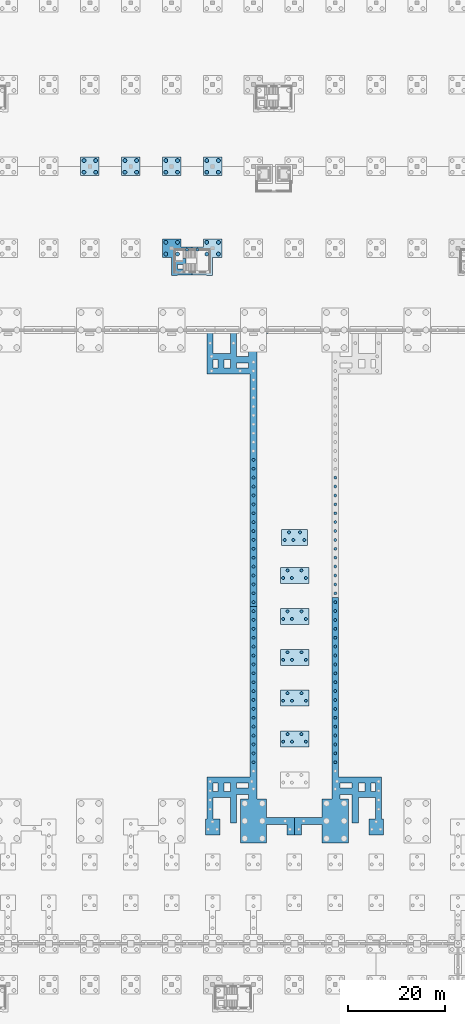
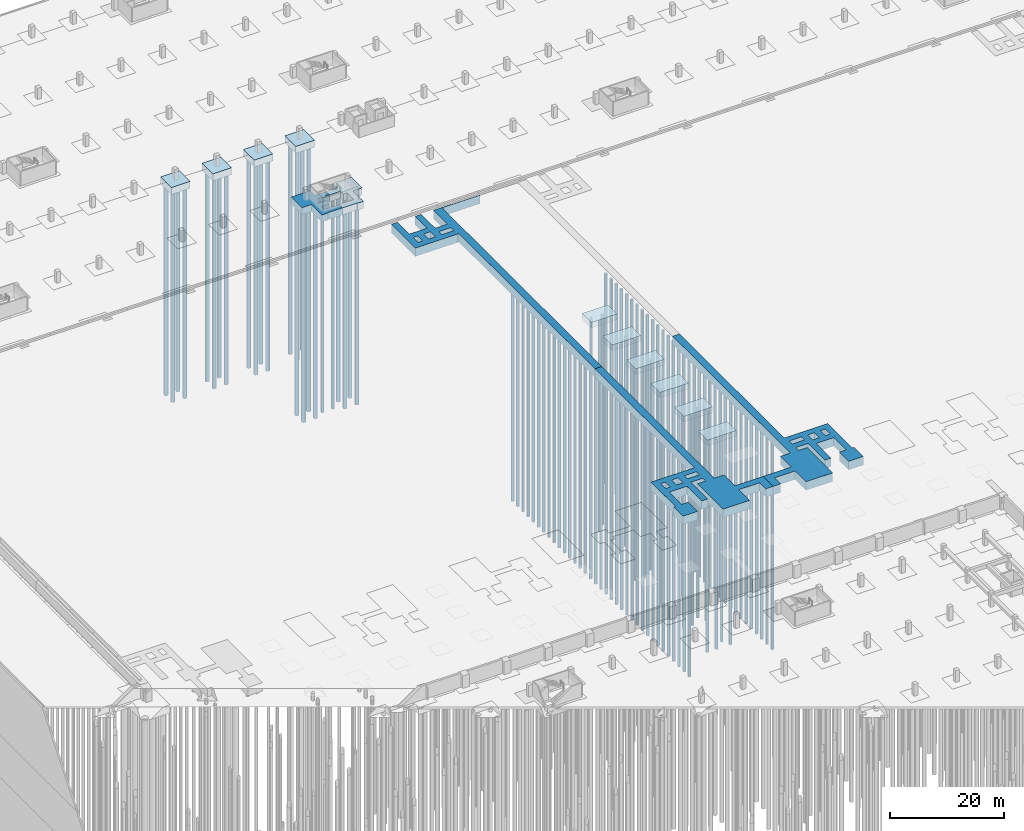
# One storey, part 15 of 67: 124 piles, 15 footings.
"""IFC4 building model written with IfcOpenShell, lengths in metres."""

from ifc_helpers import new_model, si_unit, direction, frame, origin, origin_2d, place, context, subcontext, project, spatial, polyline, circle, outline, extrude, material, material_profile, profile_set, type_object, element, save


model = new_model("IFC4")

# Units and contexts
model_context = context("Model", 3, precision=1e-05, world=origin(), true_north=direction((0.0, 1.0)))
body_context = subcontext(model_context, "Body", "Model", "MODEL_VIEW")
ifc_project = project(units=[si_unit("LENGTHUNIT", "METRE"), si_unit("AREAUNIT", "SQUARE_METRE"), si_unit("VOLUMEUNIT", "CUBIC_METRE"), si_unit("PLANEANGLEUNIT", "RADIAN"), si_unit("MASSUNIT", "GRAM", prefix="KILO")], contexts=[model_context])

# Site, building, storey
site_placement = place(None, origin())
site = spatial("IfcSite", under=ifc_project, at=site_placement, CompositionType="ELEMENT")
building_placement = place(site_placement, origin())
building = spatial("IfcBuilding", under=site, at=building_placement, Name="Rain Tree Exposition and Congress Centre", CompositionType="ELEMENT")
storey_placement = place(building_placement, frame((0.0, 0.0, -3.0)))
storey = spatial("IfcBuildingStorey", under=building, at=storey_placement, Name="B1", CompositionType="ELEMENT", Elevation=-3.0)

# Piles
ifc_material_1 = material(Name="Concrete C35/45", Category="concrete")
ifc_material_profile_1 = material_profile(ifc_material_1, circle(Radius=0.300048828125, at=origin_2d()), Name="D600")
ifc_profile_set_1 = profile_set([ifc_material_profile_1], Name="Concrete C35/45")
pile_type_1 = type_object("IfcPileType", Name="Bored pile D600", PredefinedType="BORED", material=ifc_profile_set_1)
for number, where, z_axis, x_axis, name in (
    (1, (112.333251953125, 218.10009765625, -1.425048828125), (0.0, 0.0, -1.0), (1.0, 0.0, 0.0), "Bored pile 0819"),
    (2, (114.466796875, 218.10009765625, -1.425048828125), (0.0, 0.0, -1.0), (1.0, 0.0, 0.0), "Bored pile 0821"),
    (3, (132.10009765625, 117.080322265625, 1.52490234375), (0.0, 0.0, -1.0), (1.0, 0.0, 0.0), "Bored pile 1539"),
    (4, (133.89990234375, 117.080322265625, 1.52490234375), (0.0, 0.0, -1.0), (1.0, 0.0, 0.0), "Bored pile 1540"),
    (5, (133.0, 118.639404296875, 1.52490234375), (0.0, 0.0, -1.0), (1.0, 0.0, 0.0), "Bored pile 1541"),
    (6, (136.75, 117.080322265625, 1.52490234375), (0.0, 0.0, -1.0), (1.0, 0.0, 0.0), "Bored pile 1542"),
    (7, (135.85009765625, 118.639404296875, 1.52490234375), (0.0, 0.0, -1.0), (1.0, 0.0, 0.0), "Bored pile 1543"),
    (8, (132.10009765625, 125.480224609375, 1.52490234375), (0.0, 0.0, -1.0), (1.0, 0.0, 0.0), "Bored pile 1544"),
    (9, (133.89990234375, 125.480224609375, 1.52490234375), (0.0, 0.0, -1.0), (1.0, 0.0, 0.0), "Bored pile 1545"),
    (10, (133.0, 127.039306640625, 1.52490234375), (0.0, 0.0, -1.0), (1.0, 0.0, 0.0), "Bored pile 1546"),
    (11, (136.75, 125.480224609375, 1.52490234375), (0.0, 0.0, -1.0), (1.0, 0.0, 0.0), "Bored pile 1547"),
    (12, (135.85009765625, 127.039306640625, 1.52490234375), (0.0, 0.0, -1.0), (1.0, 0.0, 0.0), "Bored pile 1548"),
    (13, (132.10009765625, 133.88037109375, 1.52490234375), (0.0, 0.0, -1.0), (1.0, 0.0, 0.0), "Bored pile 1549"),
    (14, (133.89990234375, 133.88037109375, 1.52490234375), (0.0, 0.0, -1.0), (1.0, 0.0, 0.0), "Bored pile 1550"),
    (15, (133.0, 135.439208984375, 1.52490234375), (0.0, 0.0, -1.0), (1.0, 0.0, 0.0), "Bored pile 1551"),
    (16, (136.75, 133.88037109375, 1.52490234375), (0.0, 0.0, -1.0), (1.0, 0.0, 0.0), "Bored pile 1552"),
    (17, (135.85009765625, 135.439208984375, 1.52490234375), (0.0, 0.0, -1.0), (1.0, 0.0, 0.0), "Bored pile 1553"),
    (18, (132.10009765625, 142.2802734375, 1.52490234375), (0.0, 0.0, -1.0), (1.0, 0.0, 0.0), "Bored pile 1554"),
    (19, (133.89990234375, 142.2802734375, 1.52490234375), (0.0, 0.0, -1.0), (1.0, 0.0, 0.0), "Bored pile 1555"),
    (20, (133.0, 143.83935546875, 1.52490234375), (0.0, 0.0, -1.0), (1.0, 0.0, 0.0), "Bored pile 1556"),
    (21, (136.75, 142.2802734375, 1.52490234375), (0.0, 0.0, -1.0), (1.0, 0.0, 0.0), "Bored pile 1557"),
    (22, (135.85009765625, 143.83935546875, 1.52490234375), (0.0, 0.0, -1.0), (1.0, 0.0, 0.0), "Bored pile 1558"),
    (23, (132.10009765625, 150.680419921875, 1.52490234375), (0.0, 0.0, -1.0), (1.0, 0.0, 0.0), "Bored pile 1559"),
    (24, (133.89990234375, 150.680419921875, 1.52490234375), (0.0, 0.0, -1.0), (1.0, 0.0, 0.0), "Bored pile 1560"),
    (25, (133.0, 152.2392578125, 1.52490234375), (0.0, 0.0, -1.0), (1.0, 0.0, 0.0), "Bored pile 1561"),
    (26, (136.75, 150.680419921875, 1.52490234375), (0.0, 0.0, -1.0), (1.0, 0.0, 0.0), "Bored pile 1562"),
    (27, (135.85009765625, 152.2392578125, 1.52490234375), (0.0, 0.0, -1.0), (1.0, 0.0, 0.0), "Bored pile 1563"),
    (28, (132.39990234375, 158.480224609375, 1.52490234375), (0.0, 0.0, -1.0), (1.0, 0.0, 0.0), "Bored pile 1564"),
    (29, (134.199951171875, 158.480224609375, 1.52490234375), (0.0, 0.0, -1.0), (1.0, 0.0, 0.0), "Bored pile 1565"),
    (30, (133.300048828125, 160.039306640625, 1.52490234375), (0.0, 0.0, -1.0), (1.0, 0.0, 0.0), "Bored pile 1566"),
    (31, (136.449951171875, 158.480224609375, 1.52490234375), (0.0, 0.0, -1.0), (1.0, 0.0, 0.0), "Bored pile 1567"),
    (32, (135.550048828125, 160.039306640625, 1.52490234375), (0.0, 0.0, -1.0), (1.0, 0.0, 0.0), "Bored pile 1568"),
    (33, (126.0, 112.855712890625, 0.92578125), (0.0, 0.0, -1.0), (1.0, 0.0, 0.0), "Bored pile 1767"),
    (34, (126.0, 114.681396484375, 0.92578125), (0.0, 0.0, -1.0), (1.0, 0.0, 0.0), "Bored pile 1768"),
    (35, (126.0, 116.50732421875, 0.92578125), (0.0, 0.0, -1.0), (1.0, 0.0, 0.0), "Bored pile 1769"),
    (36, (126.0, 118.333251953125, 0.92578125), (0.0, 0.0, -1.0), (1.0, 0.0, 0.0), "Bored pile 1770"),
    (37, (126.0, 120.1591796875, 0.92578125), (0.0, 0.0, -1.0), (1.0, 0.0, 0.0), "Bored pile 1771"),
    (38, (126.0, 121.985107421875, 0.92578125), (0.0, 0.0, -1.0), (1.0, 0.0, 0.0), "Bored pile 1772"),
    (39, (126.0, 123.81103515625, 0.92578125), (0.0, 0.0, -1.0), (1.0, 0.0, 0.0), "Bored pile 1773"),
    (40, (126.0, 125.636962890625, 0.92578125), (0.0, 0.0, -1.0), (1.0, 0.0, 0.0), "Bored pile 1774"),
    (41, (126.0, 127.462890625, 0.92578125), (0.0, 0.0, -1.0), (1.0, 0.0, 0.0), "Bored pile 1775"),
    (42, (126.0, 129.288818359375, 0.92578125), (0.0, 0.0, -1.0), (1.0, 0.0, 0.0), "Bored pile 1776"),
    (43, (126.0, 131.11474609375, 0.92578125), (0.0, 0.0, -1.0), (1.0, 0.0, 0.0), "Bored pile 1777"),
    (44, (126.0, 132.940673828125, 0.92578125), (0.0, 0.0, -1.0), (1.0, 0.0, 0.0), "Bored pile 1778"),
    (45, (126.0, 134.7666015625, 0.92578125), (0.0, 0.0, -1.0), (1.0, 0.0, 0.0), "Bored pile 1779"),
    (46, (126.0, 136.592529296875, 0.92578125), (0.0, 0.0, -1.0), (1.0, 0.0, 0.0), "Bored pile 1780"),
    (47, (126.0, 138.41845703125, 0.92578125), (0.0, 0.0, -1.0), (1.0, 0.0, 0.0), "Bored pile 1781"),
    (48, (126.0, 140.244384765625, 0.92578125), (0.0, 0.0, -1.0), (1.0, 0.0, 0.0), "Bored pile 1782"),
    (49, (126.0, 142.0703125, 0.92578125), (0.0, 0.0, -1.0), (1.0, 0.0, 0.0), "Bored pile 1783"),
    (50, (126.0, 143.896240234375, 0.92578125), (0.0, 0.0, -1.0), (1.0, 0.0, 0.0), "Bored pile 1784"),
    (51, (126.0, 145.72216796875, 0.92578125), (0.0, 0.0, -1.0), (1.0, 0.0, 0.0), "Bored pile 1785"),
    (52, (126.0, 147.548095703125, 0.92578125), (0.0, 0.0, -1.0), (1.0, 0.0, 0.0), "Bored pile 1786"),
    (53, (126.0, 149.3740234375, 0.92578125), (0.0, 0.0, -1.0), (1.0, 0.0, 0.0), "Bored pile 1787"),
    (54, (126.0, 151.199951171875, 0.92578125), (0.0, 0.0, -1.0), (1.0, 0.0, 0.0), "Bored pile 1788"),
    (55, (126.0, 153.02587890625, 0.92578125), (0.0, 0.0, -1.0), (1.0, 0.0, 0.0), "Bored pile 1789"),
    (56, (126.0, 154.851806640625, 0.92578125), (0.0, 0.0, -1.0), (1.0, 0.0, 0.0), "Bored pile 1790"),
    (57, (126.0, 156.677734375, 0.92578125), (0.0, 0.0, -1.0), (1.0, 0.0, 0.0), "Bored pile 1791"),
    (58, (126.0, 158.503662109375, 0.92578125), (0.0, 0.0, -1.0), (1.0, 0.0, 0.0), "Bored pile 1792"),
    (59, (126.0, 160.32958984375, 0.92578125), (0.0, 0.0, -1.0), (1.0, 0.0, 0.0), "Bored pile 1793"),
    (60, (126.0, 162.155517578125, 0.92578125), (0.0, 0.0, -1.0), (1.0, 0.0, 0.0), "Bored pile 1794"),
    (61, (126.0, 163.9814453125, 0.92578125), (0.0, 0.0, -1.0), (1.0, 0.0, 0.0), "Bored pile 1795"),
    (62, (126.0, 165.807373046875, 0.92578125), (0.0, 0.0, -1.0), (1.0, 0.0, 0.0), "Bored pile 1796"),
    (63, (126.0, 167.63330078125, 0.92578125), (0.0, 0.0, -1.0), (1.0, 0.0, 0.0), "Bored pile 1797"),
    (64, (126.0, 169.459228515625, 0.92578125), (0.0, 0.0, -1.0), (1.0, 0.0, 0.0), "Bored pile 1798"),
    (65, (126.0, 171.28515625, 0.92578125), (0.0, 0.0, -1.0), (1.0, 0.0, 0.0), "Bored pile 1799"),
    (66, (126.0, 173.111083984375, 0.92578125), (0.0, 0.0, -1.0), (1.0, 0.0, 0.0), "Bored pile 1800"),
    (67, (126.0, 174.93701171875, 0.92578125), (0.0, 0.0, -1.0), (1.0, 0.0, 0.0), "Bored pile 1801"),
    (68, (142.800048828125, 171.28515625, 0.92578125), (0.0, 0.0, -1.0), (1.0, 0.0, 0.0), "Bored pile 1836"),
    (69, (142.800048828125, 169.459228515625, 0.92578125), (0.0, 0.0, -1.0), (1.0, 0.0, 0.0), "Bored pile 1837"),
    (70, (142.800048828125, 167.63330078125, 0.92578125), (0.0, 0.0, -1.0), (1.0, 0.0, 0.0), "Bored pile 1838"),
    (71, (142.800048828125, 165.807373046875, 0.92578125), (0.0, 0.0, -1.0), (1.0, 0.0, 0.0), "Bored pile 1839"),
    (72, (142.800048828125, 163.9814453125, 0.92578125), (0.0, 0.0, -1.0), (1.0, 0.0, 0.0), "Bored pile 1840"),
    (73, (142.800048828125, 162.155517578125, 0.92578125), (0.0, 0.0, -1.0), (1.0, 0.0, 0.0), "Bored pile 1841"),
    (74, (142.800048828125, 160.32958984375, 0.92578125), (0.0, 0.0, -1.0), (1.0, 0.0, 0.0), "Bored pile 1842"),
    (75, (142.800048828125, 158.503662109375, 0.92578125), (0.0, 0.0, -1.0), (1.0, 0.0, 0.0), "Bored pile 1843"),
    (76, (142.800048828125, 156.677734375, 0.92578125), (0.0, 0.0, -1.0), (1.0, 0.0, 0.0), "Bored pile 1844"),
    (77, (142.800048828125, 154.851806640625, 0.92578125), (0.0, 0.0, -1.0), (1.0, 0.0, 0.0), "Bored pile 1845"),
    (78, (142.800048828125, 153.02587890625, 0.92578125), (0.0, 0.0, -1.0), (1.0, 0.0, 0.0), "Bored pile 1846"),
    (79, (142.800048828125, 151.199951171875, 0.92578125), (0.0, 0.0, -1.0), (1.0, 0.0, 0.0), "Bored pile 1847"),
    (80, (142.800048828125, 149.3740234375, 0.92578125), (0.0, 0.0, -1.0), (1.0, 0.0, 0.0), "Bored pile 1848"),
    (81, (142.800048828125, 147.548095703125, 0.92578125), (0.0, 0.0, -1.0), (1.0, 0.0, 0.0), "Bored pile 1849"),
    (82, (142.800048828125, 145.72216796875, 0.92578125), (0.0, 0.0, -1.0), (1.0, 0.0, 0.0), "Bored pile 1850"),
    (83, (142.800048828125, 143.896240234375, 0.92578125), (0.0, 0.0, -1.0), (1.0, 0.0, 0.0), "Bored pile 1851"),
    (84, (142.800048828125, 142.0703125, 0.92578125), (0.0, 0.0, -1.0), (1.0, 0.0, 0.0), "Bored pile 1852"),
    (85, (142.800048828125, 140.244384765625, 0.92578125), (0.0, 0.0, -1.0), (1.0, 0.0, 0.0), "Bored pile 1853"),
    (86, (142.800048828125, 138.41845703125, 0.92578125), (0.0, 0.0, -1.0), (1.0, 0.0, 0.0), "Bored pile 1854"),
    (87, (142.800048828125, 136.592529296875, 0.92578125), (0.0, 0.0, -1.0), (1.0, 0.0, 0.0), "Bored pile 1855"),
    (88, (142.800048828125, 134.7666015625, 0.92578125), (0.0, 0.0, -1.0), (1.0, 0.0, 0.0), "Bored pile 1856"),
    (89, (142.800048828125, 132.940673828125, 0.92578125), (0.0, 0.0, -1.0), (1.0, 0.0, 0.0), "Bored pile 1857"),
    (90, (142.800048828125, 131.11474609375, 0.92578125), (0.0, 0.0, -1.0), (1.0, 0.0, 0.0), "Bored pile 1858"),
    (91, (142.800048828125, 129.288818359375, 0.92578125), (0.0, 0.0, -1.0), (1.0, 0.0, 0.0), "Bored pile 1859"),
    (92, (142.800048828125, 127.462890625, 0.92578125), (0.0, 0.0, -1.0), (1.0, 0.0, 0.0), "Bored pile 1860"),
    (93, (142.800048828125, 125.636962890625, 0.92578125), (0.0, 0.0, -1.0), (1.0, 0.0, 0.0), "Bored pile 1861"),
    (94, (142.800048828125, 123.81103515625, 0.92578125), (0.0, 0.0, -1.0), (1.0, 0.0, 0.0), "Bored pile 1862"),
    (95, (142.800048828125, 121.985107421875, 0.92578125), (0.0, 0.0, -1.0), (1.0, 0.0, 0.0), "Bored pile 1863"),
    (96, (142.800048828125, 120.1591796875, 0.92578125), (0.0, 0.0, -1.0), (1.0, 0.0, 0.0), "Bored pile 1864"),
    (97, (142.800048828125, 118.333251953125, 0.92578125), (0.0, 0.0, -1.0), (1.0, 0.0, 0.0), "Bored pile 1865"),
    (98, (142.800048828125, 116.50732421875, 0.92578125), (0.0, 0.0, -1.0), (1.0, 0.0, 0.0), "Bored pile 1866"),
    (99, (142.800048828125, 114.681396484375, 0.92578125), (0.0, 0.0, -1.0), (1.0, 0.0, 0.0), "Bored pile 1867"),
    (100, (142.800048828125, 112.855712890625, 0.92578125), (0.0, 0.0, -1.0), (1.0, 0.0, 0.0), "Bored pile 1868"),
):
    element("IfcPile", number, at=place(storey_placement, frame(where, z_axis=z_axis, x_axis=x_axis)), inside=storey, type_object=pile_type_1, Name=name, PredefinedType="BORED", context=body_context, shape_type="SweptSolid", body=[
        extrude(circle(Radius=0.300048828125, at=origin_2d()), origin(), (0.0, 0.0, 1.0), 45.074951171875),
    ])
ifc_material_2 = material(Name="Concrete C35/45", Category="concrete")
ifc_material_profile_2 = material_profile(ifc_material_2, circle(Radius=0.39990234375, at=origin_2d()), Name="D800")
ifc_profile_set_2 = profile_set([ifc_material_profile_2], Name="Concrete C35/45")
pile_type_2 = type_object("IfcPileType", Name="Bored pile D800", PredefinedType="BORED", material=ifc_profile_set_2)
for number, where, z_axis, x_axis, name in (
    (101, (91.199951171875, 234.0, -1.425048828125), (0.0, 0.0, -1.0), (1.0, 0.0, 0.0), "Bored pile 0650"),
    (102, (93.60009765625, 234.0, -1.425048828125), (0.0, 0.0, -1.0), (1.0, 0.0, 0.0), "Bored pile 0651"),
    (103, (91.199951171875, 236.39990234375, -1.425048828125), (0.0, 0.0, -1.0), (1.0, 0.0, 0.0), "Bored pile 0652"),
    (104, (93.60009765625, 236.39990234375, -1.425048828125), (0.0, 0.0, -1.0), (1.0, 0.0, 0.0), "Bored pile 0653"),
    (105, (99.60009765625, 234.0, -1.425048828125), (0.0, 0.0, -1.0), (1.0, 0.0, 0.0), "Bored pile 0662"),
    (106, (102.0, 234.0, -1.425048828125), (0.0, 0.0, -1.0), (1.0, 0.0, 0.0), "Bored pile 0663"),
    (107, (99.60009765625, 236.39990234375, -1.425048828125), (0.0, 0.0, -1.0), (1.0, 0.0, 0.0), "Bored pile 0664"),
    (108, (102.0, 236.39990234375, -1.425048828125), (0.0, 0.0, -1.0), (1.0, 0.0, 0.0), "Bored pile 0665"),
    (109, (108.0, 217.199951171875, -1.425048828125), (0.0, 0.0, -1.0), (1.0, 0.0, 0.0), "Bored pile 0813"),
    (110, (108.0, 219.60009765625, -1.425048828125), (0.0, 0.0, -1.0), (1.0, 0.0, 0.0), "Bored pile 0814"),
    (111, (110.39990234375, 217.199951171875, -1.425048828125), (0.0, 0.0, -1.0), (1.0, 0.0, 0.0), "Bored pile 0816"),
    (112, (110.39990234375, 219.60009765625, -1.425048828125), (0.0, 0.0, -1.0), (1.0, 0.0, 0.0), "Bored pile 0817"),
    (113, (116.39990234375, 217.199951171875, -1.425048828125), (0.0, 0.0, -1.0), (1.0, 0.0, 0.0), "Bored pile 0822"),
    (114, (116.39990234375, 219.60009765625, -1.425048828125), (0.0, 0.0, -1.0), (1.0, 0.0, 0.0), "Bored pile 0823"),
    (115, (118.800048828125, 217.199951171875, -1.425048828125), (0.0, 0.0, -1.0), (1.0, 0.0, 0.0), "Bored pile 0825"),
    (116, (118.800048828125, 219.60009765625, -1.425048828125), (0.0, 0.0, -1.0), (1.0, 0.0, 0.0), "Bored pile 0826"),
    (117, (116.39990234375, 234.0, -1.425048828125), (0.0, 0.0, -1.0), (1.0, 0.0, 0.0), "Bored pile 0831"),
    (118, (118.800048828125, 234.0, -1.425048828125), (0.0, 0.0, -1.0), (1.0, 0.0, 0.0), "Bored pile 0832"),
    (119, (116.39990234375, 236.39990234375, -1.425048828125), (0.0, 0.0, -1.0), (1.0, 0.0, 0.0), "Bored pile 0833"),
    (120, (118.800048828125, 236.39990234375, -1.425048828125), (0.0, 0.0, -1.0), (1.0, 0.0, 0.0), "Bored pile 0834"),
    (121, (108.0, 234.0, -1.425048828125), (0.0, 0.0, -1.0), (1.0, 0.0, 0.0), "Bored pile 0835"),
    (122, (110.39990234375, 234.0, -1.425048828125), (0.0, 0.0, -1.0), (1.0, 0.0, 0.0), "Bored pile 0836"),
    (123, (108.0, 236.39990234375, -1.425048828125), (0.0, 0.0, -1.0), (1.0, 0.0, 0.0), "Bored pile 0837"),
    (124, (110.39990234375, 236.39990234375, -1.425048828125), (0.0, 0.0, -1.0), (1.0, 0.0, 0.0), "Bored pile 0838"),
):
    element("IfcPile", number, at=place(storey_placement, frame(where, z_axis=z_axis, x_axis=x_axis)), inside=storey, type_object=pile_type_2, Name=name, PredefinedType="BORED", context=body_context, shape_type="SweptSolid", body=[
        extrude(circle(Radius=0.39990234375, at=origin_2d()), origin(), (0.0, 0.0, 1.0), 45.074951171875),
    ])

# Footings
ifc_material_3 = material(Name="Concrete C35/45", Category="concrete")
footing_type_1 = type_object("IfcFootingType", Name="Pile cap 1200 thick", PredefinedType="PILE_CAP", material=ifc_material_3)
footing_1_placement = place(storey_placement, frame((0.0, 0.0, 1.449951171875)))
element("IfcFooting", 125, at=footing_1_placement, inside=storey, type_object=footing_type_1, Name="Pile cap 293", PredefinedType="PILE_CAP", context=body_context, shape_type="SweptSolid", body=[
    extrude(outline(polyline([(134.5, 119.2392578125), (134.35009765625, 119.2392578125), (131.5, 119.2392578125), (131.5, 115.960693359375), (134.35009765625, 115.960693359375), (134.5, 115.960693359375), (137.35009765625, 115.960693359375), (137.35009765625, 119.2392578125), (134.5, 119.2392578125)])), origin(), (0.0, 0.0, 1.0), 1.199951171875),
])
footing_2_placement = place(storey_placement, frame((0.0, 0.0, 1.449951171875)))
element("IfcFooting", 126, at=footing_2_placement, inside=storey, type_object=footing_type_1, Name="Pile cap 294", PredefinedType="PILE_CAP", context=body_context, shape_type="SweptSolid", body=[
    extrude(outline(polyline([(134.5, 127.639404296875), (134.35009765625, 127.639404296875), (131.5, 127.639404296875), (131.5, 124.360595703125), (134.35009765625, 124.360595703125), (134.5, 124.360595703125), (137.35009765625, 124.360595703125), (137.35009765625, 127.639404296875), (134.5, 127.639404296875)])), origin(), (0.0, 0.0, 1.0), 1.199951171875),
])
footing_3_placement = place(storey_placement, frame((0.0, 0.0, 1.449951171875)))
element("IfcFooting", 127, at=footing_3_placement, inside=storey, type_object=footing_type_1, Name="Pile cap 295", PredefinedType="PILE_CAP", context=body_context, shape_type="SweptSolid", body=[
    extrude(outline(polyline([(134.5, 136.039306640625), (134.35009765625, 136.039306640625), (131.5, 136.039306640625), (131.5, 132.7607421875), (134.35009765625, 132.7607421875), (134.5, 132.7607421875), (137.35009765625, 132.7607421875), (137.35009765625, 136.039306640625), (134.5, 136.039306640625)])), origin(), (0.0, 0.0, 1.0), 1.199951171875),
])
footing_4_placement = place(storey_placement, frame((0.0, 0.0, 1.449951171875)))
element("IfcFooting", 128, at=footing_4_placement, inside=storey, type_object=footing_type_1, Name="Pile cap 296", PredefinedType="PILE_CAP", context=body_context, shape_type="SweptSolid", body=[
    extrude(outline(polyline([(134.5, 144.439208984375), (134.35009765625, 144.439208984375), (131.5, 144.439208984375), (131.5, 141.16064453125), (134.35009765625, 141.16064453125), (134.5, 141.16064453125), (137.35009765625, 141.16064453125), (137.35009765625, 144.439208984375), (134.5, 144.439208984375)])), origin(), (0.0, 0.0, 1.0), 1.199951171875),
])
footing_5_placement = place(storey_placement, frame((0.0, 0.0, 1.449951171875)))
element("IfcFooting", 129, at=footing_5_placement, inside=storey, type_object=footing_type_1, Name="Pile cap 297", PredefinedType="PILE_CAP", context=body_context, shape_type="SweptSolid", body=[
    extrude(outline(polyline([(134.5, 152.83935546875), (134.35009765625, 152.83935546875), (131.5, 152.83935546875), (131.5, 149.560791015625), (134.35009765625, 149.560791015625), (134.5, 149.560791015625), (137.35009765625, 149.560791015625), (137.35009765625, 152.83935546875), (134.5, 152.83935546875)])), origin(), (0.0, 0.0, 1.0), 1.199951171875),
])
ifc_material_4 = material(Name="Concrete C35/45", Category="concrete")
footing_type_2 = type_object("IfcFootingType", Name="Pile cap 1500 thick", PredefinedType="PILE_CAP", material=ifc_material_4)
footing_6_placement = place(storey_placement, frame((0.0, 0.0, -1.5)))
element("IfcFooting", 130, at=footing_6_placement, inside=storey, type_object=footing_type_2, Name="Pile cap 129", PredefinedType="PILE_CAP", context=body_context, shape_type="SweptSolid", body=[
    extrude(outline(polyline([(94.300048828125, 233.300048828125), (94.300048828125, 237.10009765625), (90.5, 237.10009765625), (90.5, 233.300048828125), (94.300048828125, 233.300048828125)])), origin(), (0.0, 0.0, 1.0), 1.5),
])
footing_7_placement = place(storey_placement, frame((0.0, 0.0, -1.5)))
element("IfcFooting", 131, at=footing_7_placement, inside=storey, type_object=footing_type_2, Name="Pile cap 132", PredefinedType="PILE_CAP", context=body_context, shape_type="SweptSolid", body=[
    extrude(outline(polyline([(102.699951171875, 233.300048828125), (102.699951171875, 237.10009765625), (98.89990234375, 237.10009765625), (98.89990234375, 233.300048828125), (102.699951171875, 233.300048828125)])), origin(), (0.0, 0.0, 1.0), 1.5),
])
footing_8_placement = place(storey_placement, frame((0.0, 0.0, -1.5)))
element("IfcFooting", 132, at=footing_8_placement, inside=storey, type_object=footing_type_2, Name="Pile cap 159", PredefinedType="PILE_CAP", context=body_context, shape_type="SweptSolid", body=[
    extrude(outline(polyline([(119.5, 233.300048828125), (119.5, 237.10009765625), (115.699951171875, 237.10009765625), (115.699951171875, 233.300048828125), (119.5, 233.300048828125)])), origin(), (0.0, 0.0, 1.0), 1.5),
])
footing_9_placement = place(storey_placement, frame((0.0, 0.0, -1.5)))
element("IfcFooting", 133, at=footing_9_placement, inside=storey, type_object=footing_type_2, Name="Pile cap 160", PredefinedType="PILE_CAP", context=body_context, shape_type="SweptSolid", body=[
    extrude(outline(polyline([(111.10009765625, 233.300048828125), (111.10009765625, 237.10009765625), (107.300048828125, 237.10009765625), (107.300048828125, 233.300048828125), (111.10009765625, 233.300048828125)])), origin(), (0.0, 0.0, 1.0), 1.5),
])
ifc_material_5 = material(Name="Concrete C35/45", Category="concrete")
footing_type_3 = type_object("IfcFootingType", Name="Strip footing 1200 thick", PredefinedType="STRIP_FOOTING", material=ifc_material_5)
footing_10_placement = place(storey_placement, frame((0.0, 0.0, 1.449951171875)))
element("IfcFooting", 134, at=footing_10_placement, inside=storey, type_object=footing_type_3, Name="Strip footing 046", PredefinedType="STRIP_FOOTING", context=body_context, shape_type="SweptSolid", body=[
    extrude(outline(polyline([(134.800048828125, 160.639404296875), (134.050048828125, 160.639404296875), (131.800048828125, 160.639404296875), (131.800048828125, 157.360595703125), (134.050048828125, 157.360595703125), (134.800048828125, 157.360595703125), (137.050048828125, 157.360595703125), (137.050048828125, 160.639404296875), (134.800048828125, 160.639404296875)])), origin(), (0.0, 0.0, 1.0), 1.199951171875),
])
ifc_material_6 = material(Name="Concrete C35/45", Category="concrete")
footing_type_4 = type_object("IfcFootingType", Name="Strip footing 1500 thick", PredefinedType="STRIP_FOOTING", material=ifc_material_6)
footing_11_placement = place(storey_placement, frame((0.0, 0.0, -1.5)))
element("IfcFooting", 135, at=footing_11_placement, inside=storey, type_object=footing_type_4, Name="Strip footing 024", PredefinedType="STRIP_FOOTING", context=body_context, shape_type="SweptSolid", body=[
    extrude(outline(polyline([(110.39990234375, 212.800048828125), (110.39990234375, 212.89990234375), (113.39990234375, 212.89990234375), (113.39990234375, 214.10009765625), (110.39990234375, 214.10009765625), (110.39990234375, 215.10009765625), (112.10009765625, 215.10009765625), (112.10009765625, 216.300048828125), (111.5, 216.300048828125), (110.39990234375, 216.300048828125), (110.39990234375, 216.5), (111.10009765625, 216.5), (111.10009765625, 217.5), (113.39990234375, 217.5), (113.39990234375, 218.699951171875), (111.10009765625, 218.699951171875), (111.10009765625, 220.300048828125), (107.300048828125, 220.300048828125), (107.300048828125, 216.5), (109.199951171875, 216.5), (109.199951171875, 212.800048828125), (110.39990234375, 212.800048828125)])), origin(), (0.0, 0.0, 1.0), 1.5),
])
footing_12_placement = place(storey_placement, frame((0.0, 0.0, -1.5)))
element("IfcFooting", 136, at=footing_12_placement, inside=storey, type_object=footing_type_4, Name="Strip footing 025", PredefinedType="STRIP_FOOTING", context=body_context, shape_type="SweptSolid", body=[
    extrude(outline(polyline([(115.699951171875, 218.699951171875), (113.39990234375, 218.699951171875), (113.39990234375, 217.5), (115.699951171875, 217.5), (115.699951171875, 216.5), (116.39990234375, 216.5), (116.39990234375, 214.10009765625), (113.39990234375, 214.10009765625), (113.39990234375, 212.89990234375), (116.39990234375, 212.89990234375), (116.39990234375, 212.800048828125), (117.60009765625, 212.800048828125), (117.60009765625, 213.39990234375), (117.60009765625, 216.5), (119.5, 216.5), (119.5, 220.300048828125), (115.699951171875, 220.300048828125), (115.699951171875, 218.699951171875)])), origin(), (0.0, 0.0, 1.0), 1.5),
])
ifc_material_7 = material(Name="Concrete C35/45", Category="concrete")
footing_type_5 = type_object("IfcFootingType", Name="Strip footing 1800 thick", PredefinedType="STRIP_FOOTING", material=ifc_material_7)
footing_13_placement = place(storey_placement, frame((0.0, 0.0, 0.8505859375)))
element("IfcFooting", 137, at=footing_13_placement, inside=storey, type_object=footing_type_5, Name="Strip footing 052", PredefinedType="STRIP_FOOTING", context=body_context, shape_type="SweptSolid", body=[
    extrude(outline(polyline([(132.89990234375, 100.10009765625), (132.89990234375, 97.960693359375), (134.39990234375, 97.960693359375), (134.39990234375, 101.5), (128.699951171875, 101.5), (128.699951171875, 105.300048828125), (126.699951171875, 105.300048828125), (126.699951171875, 144.809326171875), (125.300048828125, 144.809326171875), (125.300048828125, 109.85009765625), (125.0, 109.85009765625), (125.0, 109.824951171875), (122.52490234375, 109.824951171875), (121.27490234375, 109.824951171875), (119.925048828125, 109.824951171875), (118.675048828125, 109.824951171875), (117.72509765625, 109.824951171875), (116.47509765625, 109.824951171875), (116.47509765625, 109.199951171875), (116.47509765625, 108.574951171875), (116.47509765625, 106.824951171875), (116.47509765625, 105.574951171875), (116.47509765625, 101.2392578125), (116.10009765625, 101.2392578125), (116.10009765625, 97.960693359375), (119.10009765625, 97.960693359375), (119.10009765625, 101.2392578125), (117.72509765625, 101.2392578125), (117.72509765625, 105.574951171875), (118.675048828125, 105.574951171875), (119.925048828125, 105.574951171875), (121.27490234375, 105.574951171875), (121.27490234375, 100.375), (122.52490234375, 100.375), (122.52490234375, 101.0), (122.52490234375, 105.574951171875), (122.52490234375, 106.27490234375), (125.0, 106.27490234375), (125.0, 105.300048828125), (123.300048828125, 105.300048828125), (123.300048828125, 96.300048828125), (128.699951171875, 96.300048828125), (128.699951171875, 100.10009765625), (132.89990234375, 100.10009765625)]), holes=[polyline([(118.675048828125, 108.574951171875), (117.72509765625, 108.574951171875), (117.72509765625, 106.824951171875), (118.675048828125, 106.824951171875), (118.675048828125, 108.574951171875)]), polyline([(119.925048828125, 108.574951171875), (119.925048828125, 106.824951171875), (121.27490234375, 106.824951171875), (121.27490234375, 108.574951171875), (119.925048828125, 108.574951171875)]), polyline([(125.0, 108.574951171875), (122.52490234375, 108.574951171875), (122.52490234375, 107.52490234375), (125.0, 107.52490234375), (125.0, 108.574951171875)])]), origin(), (0.0, 0.0, 1.0), 1.800048828125),
])
footing_14_placement = place(storey_placement, frame((0.0, 0.0, 0.8505859375)))
element("IfcFooting", 138, at=footing_14_placement, inside=storey, type_object=footing_type_5, Name="Strip footing 053", PredefinedType="STRIP_FOOTING", context=body_context, shape_type="SweptSolid", body=[
    extrude(outline(polyline([(125.300048828125, 192.550048828125), (125.300048828125, 144.809326171875), (126.699951171875, 144.809326171875), (126.699951171875, 200.89990234375), (134.39990234375, 200.89990234375), (134.39990234375, 201.0), (126.699951171875, 201.0), (126.300048828125, 201.0), (125.800048828125, 201.0), (125.300048828125, 201.0), (125.0, 201.0), (125.0, 200.800048828125), (125.0, 196.125), (122.52490234375, 196.125), (122.52490234375, 196.824951171875), (122.52490234375, 201.0), (121.27490234375, 201.0), (121.27490234375, 196.824951171875), (119.925048828125, 196.824951171875), (118.675048828125, 196.824951171875), (117.72509765625, 196.824951171875), (117.72509765625, 201.0), (116.47509765625, 201.0), (116.47509765625, 196.824951171875), (116.47509765625, 195.574951171875), (116.47509765625, 193.824951171875), (116.47509765625, 192.574951171875), (117.10009765625, 192.574951171875), (117.72509765625, 192.574951171875), (118.675048828125, 192.574951171875), (119.925048828125, 192.574951171875), (121.27490234375, 192.574951171875), (122.52490234375, 192.574951171875), (125.0, 192.574951171875), (125.0, 192.550048828125), (125.300048828125, 192.550048828125)]), holes=[polyline([(117.72509765625, 193.824951171875), (118.675048828125, 193.824951171875), (118.675048828125, 195.574951171875), (117.72509765625, 195.574951171875), (117.72509765625, 193.824951171875)]), polyline([(119.925048828125, 195.574951171875), (119.925048828125, 193.824951171875), (121.27490234375, 193.824951171875), (121.27490234375, 195.574951171875), (119.925048828125, 195.574951171875)]), polyline([(122.52490234375, 193.824951171875), (125.0, 193.824951171875), (125.0, 194.875), (122.52490234375, 194.875), (122.52490234375, 193.824951171875)])]), origin(), (0.0, 0.0, 1.0), 1.800048828125),
])
footing_15_placement = place(storey_placement, frame((0.0, 0.0, 0.8505859375)))
element("IfcFooting", 139, at=footing_15_placement, inside=storey, type_object=footing_type_5, Name="Strip footing 055", PredefinedType="STRIP_FOOTING", context=body_context, shape_type="SweptSolid", body=[
    extrude(outline(polyline([(143.5, 109.85009765625), (143.5, 146.63525390625), (142.10009765625, 146.63525390625), (142.10009765625, 105.300048828125), (140.10009765625, 105.300048828125), (140.10009765625, 101.5), (134.39990234375, 101.5), (134.39990234375, 97.960693359375), (135.89990234375, 97.960693359375), (135.89990234375, 100.10009765625), (140.10009765625, 100.10009765625), (140.10009765625, 96.300048828125), (145.5, 96.300048828125), (145.5, 105.300048828125), (143.800048828125, 105.300048828125), (143.800048828125, 106.27490234375), (146.27490234375, 106.27490234375), (146.27490234375, 105.574951171875), (146.27490234375, 100.375), (147.52490234375, 100.375), (147.52490234375, 101.0), (147.52490234375, 105.574951171875), (148.875, 105.574951171875), (150.125, 105.574951171875), (151.074951171875, 105.574951171875), (151.074951171875, 101.2392578125), (149.699951171875, 101.2392578125), (149.699951171875, 97.960693359375), (152.699951171875, 97.960693359375), (152.699951171875, 101.2392578125), (152.324951171875, 101.2392578125), (152.324951171875, 105.574951171875), (152.324951171875, 106.824951171875), (152.324951171875, 108.574951171875), (152.324951171875, 109.824951171875), (151.699951171875, 109.824951171875), (151.074951171875, 109.824951171875), (150.125, 109.824951171875), (148.875, 109.824951171875), (147.52490234375, 109.824951171875), (146.27490234375, 109.824951171875), (143.800048828125, 109.824951171875), (143.800048828125, 109.85009765625), (143.5, 109.85009765625)]), holes=[polyline([(146.27490234375, 108.574951171875), (143.800048828125, 108.574951171875), (143.800048828125, 107.52490234375), (146.27490234375, 107.52490234375), (146.27490234375, 108.574951171875)]), polyline([(148.875, 108.574951171875), (147.52490234375, 108.574951171875), (147.52490234375, 106.824951171875), (148.875, 106.824951171875), (148.875, 108.574951171875)]), polyline([(150.125, 108.574951171875), (150.125, 106.824951171875), (151.074951171875, 106.824951171875), (151.074951171875, 108.574951171875), (150.125, 108.574951171875)])]), origin(), (0.0, 0.0, 1.0), 1.800048828125),
])

save(model, "model.ifc")
